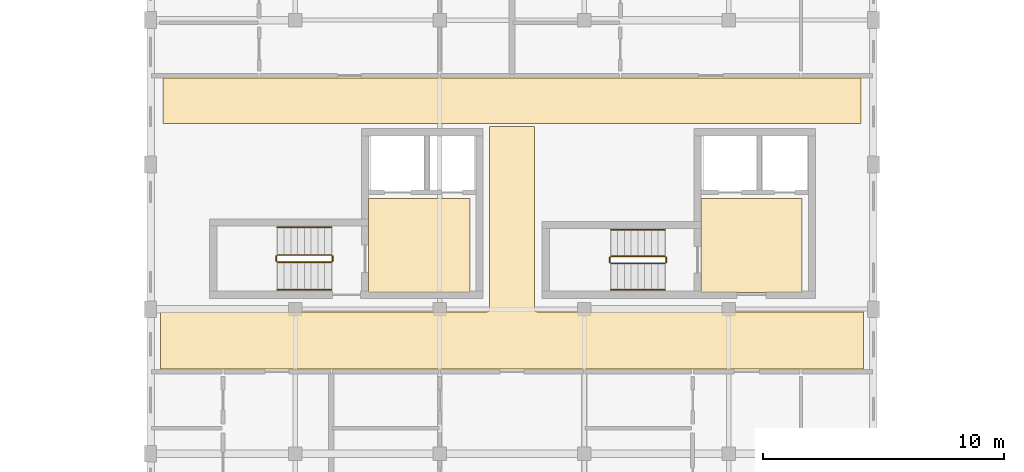
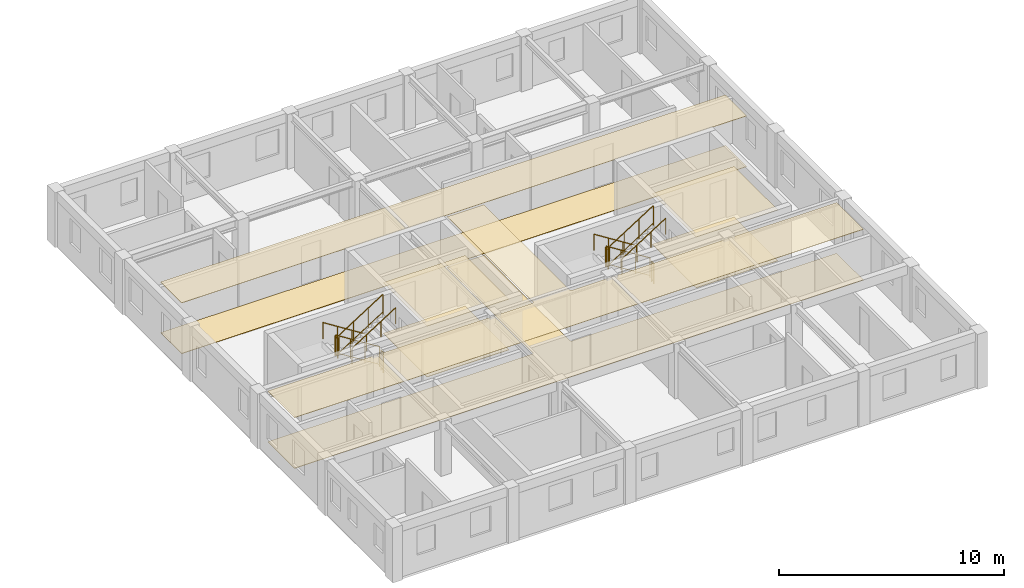
# One storey, part 26 of 28: 12 railings, 8 coverings.
"""IFC4 building model written with IfcOpenShell, lengths in metres."""

from ifc_helpers import new_model, si_unit, direction, frame, origin, origin_2d, place, context, subcontext, project, spatial, polyline, circle, outline, extrude, material, layer, layer_set, type_object, element, save


model = new_model("IFC4")

# Units and contexts
model_context = context("Model", 3, precision=1e-05, world=origin(), true_north=direction((0.0, 1.0)))
body_context = subcontext(model_context, "Body", "Model", "MODEL_VIEW")
ifc_project = project(units=[si_unit("LENGTHUNIT", "METRE"), si_unit("AREAUNIT", "SQUARE_METRE"), si_unit("VOLUMEUNIT", "CUBIC_METRE"), si_unit("PLANEANGLEUNIT", "RADIAN"), si_unit("MASSUNIT", "GRAM", prefix="KILO"), si_unit("POWERUNIT", "WATT"), si_unit("THERMODYNAMICTEMPERATUREUNIT", "KELVIN")], contexts=[model_context])

# Site, building, storey
site_placement = place(None, origin())
site = spatial("IfcSite", under=ifc_project, at=site_placement, CompositionType="ELEMENT")
building_placement = place(site_placement, origin())
building = spatial("IfcBuilding", under=site, at=building_placement, Name="Ruvembo Vaulted Housing Court", CompositionType="ELEMENT")
storey_placement = place(building_placement, frame((0.0, 0.0, 23.699951171875)))
storey = spatial("IfcBuildingStorey", under=building, at=storey_placement, Name="L07", CompositionType="ELEMENT", Elevation=23.699951171875)

# Coverings
ifc_material_1 = material(Name="Perforated Mineral-Fibre Acoustic Tile", Category="gypsum")
ifc_layer_1 = layer(ifc_material_1, 0.02001953125, Name="Perforated Mineral-Fibre Acoustic Tile")
ifc_layer_set_1 = layer_set([ifc_layer_1], Name="Perforated Mineral-Fibre Acoustic Tile")
covering_type_1 = type_object("IfcCoveringType", Name="COV-CEIL-ACOUST", PredefinedType="CEILING", material=ifc_layer_set_1)
covering_1_placement = place(storey_placement, frame((0.0, 0.0, 2.75)))
element("IfcCovering", 1, at=covering_1_placement, inside=storey, type_object=covering_type_1, Name="Protected Core Lobby C1 Ceiling", PredefinedType="CEILING", context=body_context, shape_type="SweptSolid", body=[
    extrude(outline(polyline([(115.25, 16.60009765625), (111.050048828125, 16.60009765625), (111.050048828125, 12.699951171875), (115.25, 12.699951171875), (115.25, 16.60009765625)])), origin(), (0.0, 0.0, 1.0), 0.02001953125),
])
covering_2_placement = place(storey_placement, frame((0.0, 0.0, 2.75)))
element("IfcCovering", 2, at=covering_2_placement, inside=storey, type_object=covering_type_1, Name="Protected Core Lobby C2 Ceiling", PredefinedType="CEILING", context=body_context, shape_type="SweptSolid", body=[
    extrude(outline(polyline([(129.050048828125, 16.60009765625), (124.85009765625, 16.60009765625), (124.85009765625, 12.699951171875), (129.050048828125, 12.699951171875), (129.050048828125, 16.60009765625)])), origin(), (0.0, 0.0, 1.0), 0.02001953125),
])
covering_3_placement = place(storey_placement, frame((0.0, 0.0, 2.75)))
element("IfcCovering", 3, at=covering_3_placement, inside=storey, type_object=covering_type_1, Name="Block C L07 Corridor Ceiling", PredefinedType="CEILING", context=body_context, shape_type="SweptSolid", body=[
    extrude(outline(polyline([(131.590087890625, 9.510009765625), (131.590087890625, 11.889892578125), (118.050048828125, 11.889892578125), (118.039306640625, 11.890380859375), (118.028564453125, 11.89208984375), (118.01806640625, 11.894775390625), (118.0078125, 11.8984375), (117.998046875, 11.903076171875), (117.989013671875, 11.908447265625), (117.980224609375, 11.9150390625), (117.97216796875, 11.922119140625), (117.965087890625, 11.93017578125), (117.95849609375, 11.93896484375), (117.952880859375, 11.947998046875), (117.948486328125, 11.9580078125), (117.944580078125, 11.968017578125), (117.942138671875, 11.978515625), (117.9404296875, 11.9892578125), (117.93994140625, 12.0), (117.93994140625, 19.590087890625), (116.06005859375, 19.590087890625), (116.06005859375, 12.0), (116.0595703125, 11.9892578125), (116.057861328125, 11.978515625), (116.055419921875, 11.968017578125), (116.051513671875, 11.9580078125), (116.047119140625, 11.947998046875), (116.04150390625, 11.93896484375), (116.034912109375, 11.93017578125), (116.02783203125, 11.922119140625), (116.019775390625, 11.9150390625), (116.010986328125, 11.908447265625), (116.001953125, 11.903076171875), (115.9921875, 11.8984375), (115.98193359375, 11.894775390625), (115.971435546875, 11.89208984375), (115.960693359375, 11.890380859375), (115.949951171875, 11.889892578125), (102.409912109375, 11.889892578125), (102.409912109375, 9.510009765625), (131.590087890625, 9.510009765625)])), origin(), (0.0, 0.0, 1.0), 0.02001953125),
])
covering_4_placement = place(storey_placement, frame((0.0, 0.0, 2.75)))
element("IfcCovering", 4, at=covering_4_placement, inside=storey, type_object=covering_type_1, Name="Block C L07 North Sub-Corridor Ceiling", PredefinedType="CEILING", context=body_context, shape_type="SweptSolid", body=[
    extrude(outline(polyline([(102.510009765625, 19.7099609375), (131.489990234375, 19.7099609375), (131.489990234375, 21.590087890625), (102.510009765625, 21.590087890625), (102.510009765625, 19.7099609375)])), origin(), (0.0, 0.0, 1.0), 0.02001953125),
])
ifc_material_2 = material(Name="Polished Cement-Aggregate Terrazzo", Category="stone")
ifc_layer_2 = layer(ifc_material_2, 0.02197265625, Name="Polished Cement-Aggregate Terrazzo")
ifc_layer_set_2 = layer_set([ifc_layer_2], Name="Polished Cement-Aggregate Terrazzo")
covering_type_2 = type_object("IfcCoveringType", Name="COV-FLR-CERAMIC", PredefinedType="FLOORING", material=ifc_layer_set_2)
covering_5_placement = place(storey_placement, origin())
element("IfcCovering", 5, at=covering_5_placement, inside=storey, type_object=covering_type_2, Name="Protected Core Lobby C1 Flooring", PredefinedType="FLOORING", context=body_context, shape_type="SweptSolid", body=[
    extrude(outline(polyline([(115.25, 16.60009765625), (111.050048828125, 16.60009765625), (111.050048828125, 12.699951171875), (115.25, 12.699951171875), (115.25, 16.60009765625)])), origin(), (0.0, 0.0, 1.0), 0.02197265625),
])
covering_6_placement = place(storey_placement, origin())
element("IfcCovering", 6, at=covering_6_placement, inside=storey, type_object=covering_type_2, Name="Protected Core Lobby C2 Flooring", PredefinedType="FLOORING", context=body_context, shape_type="SweptSolid", body=[
    extrude(outline(polyline([(129.050048828125, 16.60009765625), (124.85009765625, 16.60009765625), (124.85009765625, 12.699951171875), (129.050048828125, 12.699951171875), (129.050048828125, 16.60009765625)])), origin(), (0.0, 0.0, 1.0), 0.02197265625),
])
covering_7_placement = place(storey_placement, origin())
element("IfcCovering", 7, at=covering_7_placement, inside=storey, type_object=covering_type_2, Name="Block C L07 Corridor Flooring", PredefinedType="FLOORING", context=body_context, shape_type="SweptSolid", body=[
    extrude(outline(polyline([(131.590087890625, 9.510009765625), (131.590087890625, 11.889892578125), (118.050048828125, 11.889892578125), (118.039306640625, 11.890380859375), (118.028564453125, 11.89208984375), (118.01806640625, 11.894775390625), (118.0078125, 11.8984375), (117.998046875, 11.903076171875), (117.989013671875, 11.908447265625), (117.980224609375, 11.9150390625), (117.97216796875, 11.922119140625), (117.965087890625, 11.93017578125), (117.95849609375, 11.93896484375), (117.952880859375, 11.947998046875), (117.948486328125, 11.9580078125), (117.944580078125, 11.968017578125), (117.942138671875, 11.978515625), (117.9404296875, 11.9892578125), (117.93994140625, 12.0), (117.93994140625, 19.590087890625), (116.06005859375, 19.590087890625), (116.06005859375, 12.0), (116.0595703125, 11.9892578125), (116.057861328125, 11.978515625), (116.055419921875, 11.968017578125), (116.051513671875, 11.9580078125), (116.047119140625, 11.947998046875), (116.04150390625, 11.93896484375), (116.034912109375, 11.93017578125), (116.02783203125, 11.922119140625), (116.019775390625, 11.9150390625), (116.010986328125, 11.908447265625), (116.001953125, 11.903076171875), (115.9921875, 11.8984375), (115.98193359375, 11.894775390625), (115.971435546875, 11.89208984375), (115.960693359375, 11.890380859375), (115.949951171875, 11.889892578125), (102.409912109375, 11.889892578125), (102.409912109375, 9.510009765625), (131.590087890625, 9.510009765625)])), origin(), (0.0, 0.0, 1.0), 0.02197265625),
])
covering_8_placement = place(storey_placement, origin())
element("IfcCovering", 8, at=covering_8_placement, inside=storey, type_object=covering_type_2, Name="Block C L07 North Sub-Corridor Flooring", PredefinedType="FLOORING", context=body_context, shape_type="SweptSolid", body=[
    extrude(outline(polyline([(102.510009765625, 19.7099609375), (131.489990234375, 19.7099609375), (131.489990234375, 21.590087890625), (102.510009765625, 21.590087890625), (102.510009765625, 19.7099609375)])), origin(), (0.0, 0.0, 1.0), 0.02197265625),
])

# Railings
ifc_material_3 = material(Name="Painted Galvanised Steel S275", Category="steel")
ifc_layer_3 = layer(ifc_material_3, 0.06005859375, Name="Painted Galvanised Steel S275")
ifc_layer_set_3 = layer_set([ifc_layer_3], Name="Painted Galvanised Steel S275")
railing_type_1 = type_object("IfcRailingType", Name="RL-STAIR-GR1100", PredefinedType="GUARDRAIL", material=ifc_layer_set_3)
railing_1_placement = place(storey_placement, frame((109.5, 14.25, 0.177734375)))
element("IfcRailing", 9, at=railing_1_placement, inside=storey, type_object=railing_type_1, Name="L07 ST-C1 stair guard 1", PredefinedType="GUARDRAIL", context=body_context, shape_type="SweptSolid", body=[
    extrude(circle(Radius=0.02392578125, at=origin_2d()), frame((0.0, 0.0, 1.076171875), z_axis=(-0.84418770128, 0.0, 0.536047689118), x_axis=(0.0, -1.0, 0.0)), (0.0, 0.0, 1.0), 2.6533203125),
    extrude(circle(Radius=0.01806640625, at=origin_2d()), frame((0.0, 0.0, 0.1201171875), z_axis=(-0.84418770128, 0.0, 0.536047689118), x_axis=(0.0, -1.0, 0.0)), (0.0, 0.0, 1.0), 2.6533203125),
    extrude(circle(Radius=0.02099609375, at=origin_2d()), origin(), (0.0, 0.0, 1.0), 1.052001953125),
    extrude(circle(Radius=0.02099609375, at=origin_2d()), frame((-0.74658203125, 0.0, 0.47412109375)), (0.0, 0.0, 1.0), 1.052001953125),
    extrude(circle(Radius=0.02099609375, at=origin_2d()), frame((-1.493408203125, 0.0, 0.9482421875)), (0.0, 0.0, 1.0), 1.052001953125),
    extrude(circle(Radius=0.02099609375, at=origin_2d()), frame((-2.239990234375, 0.0, 1.42236328125)), (0.0, 0.0, 1.0), 1.052001953125),
])
railing_2_placement = place(storey_placement, frame((107.2099609375, 14.199951171875, 1.60009765625)))
element("IfcRailing", 10, at=railing_2_placement, inside=storey, type_object=railing_type_1, Name="L07 ST-C1 stair guard 2", PredefinedType="GUARDRAIL", context=body_context, shape_type="SweptSolid", body=[
    extrude(circle(Radius=0.02392578125, at=origin_2d()), frame((0.0, 0.0, 1.076171875), z_axis=(0.0, -1.0, 0.0), x_axis=(1.0, 0.0, 0.0)), (0.0, 0.0, 1.0), 0.199951171875),
    extrude(circle(Radius=0.01806640625, at=origin_2d()), frame((0.0, 0.0, 0.1201171875), z_axis=(0.0, -1.0, 0.0), x_axis=(1.0, 0.0, 0.0)), (0.0, 0.0, 1.0), 0.199951171875),
    extrude(circle(Radius=0.02099609375, at=origin_2d()), origin(), (0.0, 0.0, 1.0), 1.052001953125),
    extrude(circle(Radius=0.02099609375, at=origin_2d()), frame((0.0, -0.199951171875, 0.0)), (0.0, 0.0, 1.0), 1.052001953125),
])
railing_3_placement = place(storey_placement, frame((107.260009765625, 13.949951171875, 1.77783203125)))
element("IfcRailing", 11, at=railing_3_placement, inside=storey, type_object=railing_type_1, Name="L07 ST-C1 stair guard 3", PredefinedType="GUARDRAIL", context=body_context, shape_type="SweptSolid", body=[
    extrude(circle(Radius=0.02392578125, at=origin_2d()), frame((0.0, 0.0, 1.076171875), z_axis=(0.8442293374, 0.0, 0.53598211339), x_axis=(0.0, 1.0, 0.0)), (0.0, 0.0, 1.0), 2.6533203125),
    extrude(circle(Radius=0.01806640625, at=origin_2d()), frame((0.0, 0.0, 0.1201171875), z_axis=(0.8442293374, 0.0, 0.53598211339), x_axis=(0.0, 1.0, 0.0)), (0.0, 0.0, 1.0), 2.6533203125),
    extrude(circle(Radius=0.02099609375, at=origin_2d()), origin(), (0.0, 0.0, 1.0), 1.052001953125),
    extrude(circle(Radius=0.02099609375, at=origin_2d()), frame((0.74658203125, 0.0, 0.47412109375)), (0.0, 0.0, 1.0), 1.052001953125),
    extrude(circle(Radius=0.02099609375, at=origin_2d()), frame((1.493408203125, 0.0, 0.947998046875)), (0.0, 0.0, 1.0), 1.052001953125),
    extrude(circle(Radius=0.02099609375, at=origin_2d()), frame((2.239990234375, 0.0, 1.422119140625)), (0.0, 0.0, 1.0), 1.052001953125),
])
railing_4_placement = place(storey_placement, frame((109.550048828125, 14.199951171875, 0.0)))
element("IfcRailing", 12, at=railing_4_placement, inside=storey, type_object=railing_type_1, Name="L07 ST-C1 stair guard 4", PredefinedType="GUARDRAIL", context=body_context, shape_type="SweptSolid", body=[
    extrude(circle(Radius=0.02392578125, at=origin_2d()), frame((0.0, 0.0, 1.076171875), z_axis=(0.0, -1.0, 0.0), x_axis=(1.0, 0.0, 0.0)), (0.0, 0.0, 1.0), 0.199951171875),
    extrude(circle(Radius=0.01806640625, at=origin_2d()), frame((0.0, 0.0, 0.1201171875), z_axis=(0.0, -1.0, 0.0), x_axis=(1.0, 0.0, 0.0)), (0.0, 0.0, 1.0), 0.199951171875),
    extrude(circle(Radius=0.02099609375, at=origin_2d()), origin(), (0.0, 0.0, 1.0), 1.052001953125),
    extrude(circle(Radius=0.02099609375, at=origin_2d()), frame((0.0, -0.199951171875, 0.0)), (0.0, 0.0, 1.0), 1.052001953125),
])
railing_5_placement = place(storey_placement, frame((123.35009765625, 14.199951171875, 0.177734375)))
element("IfcRailing", 13, at=railing_5_placement, inside=storey, type_object=railing_type_1, Name="L07 ST-C2 stair guard 1", PredefinedType="GUARDRAIL", context=body_context, shape_type="SweptSolid", body=[
    extrude(circle(Radius=0.02392578125, at=origin_2d()), frame((0.0, 0.0, 1.076171875), z_axis=(-0.84418770128, 0.0, 0.536047689118), x_axis=(0.0, -1.0, 0.0)), (0.0, 0.0, 1.0), 2.6533203125),
    extrude(circle(Radius=0.01806640625, at=origin_2d()), frame((0.0, 0.0, 0.1201171875), z_axis=(-0.84418770128, 0.0, 0.536047689118), x_axis=(0.0, -1.0, 0.0)), (0.0, 0.0, 1.0), 2.6533203125),
    extrude(circle(Radius=0.02099609375, at=origin_2d()), origin(), (0.0, 0.0, 1.0), 1.052001953125),
    extrude(circle(Radius=0.02099609375, at=origin_2d()), frame((-0.74658203125, 0.0, 0.47412109375)), (0.0, 0.0, 1.0), 1.052001953125),
    extrude(circle(Radius=0.02099609375, at=origin_2d()), frame((-1.493408203125, 0.0, 0.9482421875)), (0.0, 0.0, 1.0), 1.052001953125),
    extrude(circle(Radius=0.02099609375, at=origin_2d()), frame((-2.239990234375, 0.0, 1.42236328125)), (0.0, 0.0, 1.0), 1.052001953125),
])
railing_6_placement = place(storey_placement, frame((121.06005859375, 14.14990234375, 1.60009765625)))
element("IfcRailing", 14, at=railing_6_placement, inside=storey, type_object=railing_type_1, Name="L07 ST-C2 stair guard 2", PredefinedType="GUARDRAIL", context=body_context, shape_type="SweptSolid", body=[
    extrude(circle(Radius=0.02392578125, at=origin_2d()), frame((0.0, 0.0, 1.076171875), z_axis=(0.0, -1.0, 0.0), x_axis=(1.0, 0.0, 0.0)), (0.0, 0.0, 1.0), 0.199951171875),
    extrude(circle(Radius=0.01806640625, at=origin_2d()), frame((0.0, 0.0, 0.1201171875), z_axis=(0.0, -1.0, 0.0), x_axis=(1.0, 0.0, 0.0)), (0.0, 0.0, 1.0), 0.199951171875),
    extrude(circle(Radius=0.02099609375, at=origin_2d()), origin(), (0.0, 0.0, 1.0), 1.052001953125),
    extrude(circle(Radius=0.02099609375, at=origin_2d()), frame((0.0, -0.199951171875, 0.0)), (0.0, 0.0, 1.0), 1.052001953125),
])
railing_7_placement = place(storey_placement, frame((121.110107421875, 13.89990234375, 1.77783203125)))
element("IfcRailing", 15, at=railing_7_placement, inside=storey, type_object=railing_type_1, Name="L07 ST-C2 stair guard 3", PredefinedType="GUARDRAIL", context=body_context, shape_type="SweptSolid", body=[
    extrude(circle(Radius=0.02392578125, at=origin_2d()), frame((0.0, 0.0, 1.076171875), z_axis=(0.8442293374, 0.0, 0.53598211339), x_axis=(0.0, 1.0, 0.0)), (0.0, 0.0, 1.0), 2.6533203125),
    extrude(circle(Radius=0.01806640625, at=origin_2d()), frame((0.0, 0.0, 0.1201171875), z_axis=(0.8442293374, 0.0, 0.53598211339), x_axis=(0.0, 1.0, 0.0)), (0.0, 0.0, 1.0), 2.6533203125),
    extrude(circle(Radius=0.02099609375, at=origin_2d()), origin(), (0.0, 0.0, 1.0), 1.052001953125),
    extrude(circle(Radius=0.02099609375, at=origin_2d()), frame((0.74658203125, 0.0, 0.47412109375)), (0.0, 0.0, 1.0), 1.052001953125),
    extrude(circle(Radius=0.02099609375, at=origin_2d()), frame((1.493408203125, 0.0, 0.947998046875)), (0.0, 0.0, 1.0), 1.052001953125),
    extrude(circle(Radius=0.02099609375, at=origin_2d()), frame((2.239990234375, 0.0, 1.422119140625)), (0.0, 0.0, 1.0), 1.052001953125),
])
railing_8_placement = place(storey_placement, frame((123.39990234375, 14.14990234375, 0.0)))
element("IfcRailing", 16, at=railing_8_placement, inside=storey, type_object=railing_type_1, Name="L07 ST-C2 stair guard 4", PredefinedType="GUARDRAIL", context=body_context, shape_type="SweptSolid", body=[
    extrude(circle(Radius=0.02392578125, at=origin_2d()), frame((0.0, 0.0, 1.076171875), z_axis=(0.0, -1.0, 0.0), x_axis=(1.0, 0.0, 0.0)), (0.0, 0.0, 1.0), 0.199951171875),
    extrude(circle(Radius=0.01806640625, at=origin_2d()), frame((0.0, 0.0, 0.1201171875), z_axis=(0.0, -1.0, 0.0), x_axis=(1.0, 0.0, 0.0)), (0.0, 0.0, 1.0), 0.199951171875),
    extrude(circle(Radius=0.02099609375, at=origin_2d()), origin(), (0.0, 0.0, 1.0), 1.052001953125),
    extrude(circle(Radius=0.02099609375, at=origin_2d()), frame((0.0, -0.199951171875, 0.0)), (0.0, 0.0, 1.0), 1.052001953125),
])
ifc_material_4 = material(Name="Brushed Stainless Steel 304", Category="steel")
ifc_layer_4 = layer(ifc_material_4, 0.050048828125, Name="Brushed Stainless Steel 304")
ifc_layer_set_4 = layer_set([ifc_layer_4], Name="Brushed Stainless Steel 304")
railing_type_2 = type_object("IfcRailingType", Name="RL-STAIR-HR920", PredefinedType="HANDRAIL", material=ifc_layer_set_4)
railing_9_placement = place(storey_placement, frame((109.5, 15.39990234375, 0.359375)))
element("IfcRailing", 17, at=railing_9_placement, inside=storey, type_object=railing_type_2, Name="L07 ST-C1 stair handrail 1", PredefinedType="HANDRAIL", context=body_context, shape_type="SweptSolid", body=[
    extrude(circle(Radius=0.02392578125, at=origin_2d()), frame((0.0, 0.0, 0.8759765625), z_axis=(-0.8442293374, 0.0, 0.53598211339), x_axis=(0.0, -1.0, 0.0)), (0.0, 0.0, 1.0), 2.6533203125),
    extrude(circle(Radius=0.02099609375, at=origin_2d()), origin(), (0.0, 0.0, 1.0), 0.851806640625),
    extrude(circle(Radius=0.02099609375, at=origin_2d()), frame((-0.74658203125, 0.0, 0.47412109375)), (0.0, 0.0, 1.0), 0.851806640625),
    extrude(circle(Radius=0.02099609375, at=origin_2d()), frame((-1.493408203125, 0.0, 0.947998046875)), (0.0, 0.0, 1.0), 0.851806640625),
    extrude(circle(Radius=0.02099609375, at=origin_2d()), frame((-2.239990234375, 0.0, 1.422119140625)), (0.0, 0.0, 1.0), 0.851806640625),
])
railing_10_placement = place(storey_placement, frame((107.260009765625, 12.800048828125, 1.959228515625)))
element("IfcRailing", 18, at=railing_10_placement, inside=storey, type_object=railing_type_2, Name="L07 ST-C1 stair handrail 2", PredefinedType="HANDRAIL", context=body_context, shape_type="SweptSolid", body=[
    extrude(circle(Radius=0.02392578125, at=origin_2d()), frame((0.0, 0.0, 0.8759765625), z_axis=(0.84418770128, 0.0, 0.536047689118), x_axis=(0.0, 1.0, 0.0)), (0.0, 0.0, 1.0), 2.6533203125),
    extrude(circle(Radius=0.02099609375, at=origin_2d()), origin(), (0.0, 0.0, 1.0), 0.851806640625),
    extrude(circle(Radius=0.02099609375, at=origin_2d()), frame((0.74658203125, 0.0, 0.47412109375)), (0.0, 0.0, 1.0), 0.851806640625),
    extrude(circle(Radius=0.02099609375, at=origin_2d()), frame((1.493408203125, 0.0, 0.9482421875)), (0.0, 0.0, 1.0), 0.851806640625),
    extrude(circle(Radius=0.02099609375, at=origin_2d()), frame((2.239990234375, 0.0, 1.42236328125)), (0.0, 0.0, 1.0), 0.851806640625),
])
railing_11_placement = place(storey_placement, frame((123.35009765625, 15.300048828125, 0.359375)))
element("IfcRailing", 19, at=railing_11_placement, inside=storey, type_object=railing_type_2, Name="L07 ST-C2 stair handrail 1", PredefinedType="HANDRAIL", context=body_context, shape_type="SweptSolid", body=[
    extrude(circle(Radius=0.02392578125, at=origin_2d()), frame((0.0, 0.0, 0.8759765625), z_axis=(-0.8442293374, 0.0, 0.53598211339), x_axis=(0.0, -1.0, 0.0)), (0.0, 0.0, 1.0), 2.6533203125),
    extrude(circle(Radius=0.02099609375, at=origin_2d()), origin(), (0.0, 0.0, 1.0), 0.851806640625),
    extrude(circle(Radius=0.02099609375, at=origin_2d()), frame((-0.74658203125, 0.0, 0.47412109375)), (0.0, 0.0, 1.0), 0.851806640625),
    extrude(circle(Radius=0.02099609375, at=origin_2d()), frame((-1.493408203125, 0.0, 0.947998046875)), (0.0, 0.0, 1.0), 0.851806640625),
    extrude(circle(Radius=0.02099609375, at=origin_2d()), frame((-2.239990234375, 0.0, 1.422119140625)), (0.0, 0.0, 1.0), 0.851806640625),
])
railing_12_placement = place(storey_placement, frame((121.110107421875, 12.800048828125, 1.959228515625)))
element("IfcRailing", 20, at=railing_12_placement, inside=storey, type_object=railing_type_2, Name="L07 ST-C2 stair handrail 2", PredefinedType="HANDRAIL", context=body_context, shape_type="SweptSolid", body=[
    extrude(circle(Radius=0.02392578125, at=origin_2d()), frame((0.0, 0.0, 0.8759765625), z_axis=(0.84418770128, 0.0, 0.536047689118), x_axis=(0.0, 1.0, 0.0)), (0.0, 0.0, 1.0), 2.6533203125),
    extrude(circle(Radius=0.02099609375, at=origin_2d()), origin(), (0.0, 0.0, 1.0), 0.851806640625),
    extrude(circle(Radius=0.02099609375, at=origin_2d()), frame((0.74658203125, 0.0, 0.47412109375)), (0.0, 0.0, 1.0), 0.851806640625),
    extrude(circle(Radius=0.02099609375, at=origin_2d()), frame((1.493408203125, 0.0, 0.9482421875)), (0.0, 0.0, 1.0), 0.851806640625),
    extrude(circle(Radius=0.02099609375, at=origin_2d()), frame((2.239990234375, 0.0, 1.42236328125)), (0.0, 0.0, 1.0), 0.851806640625),
])

save(model, "model.ifc")
